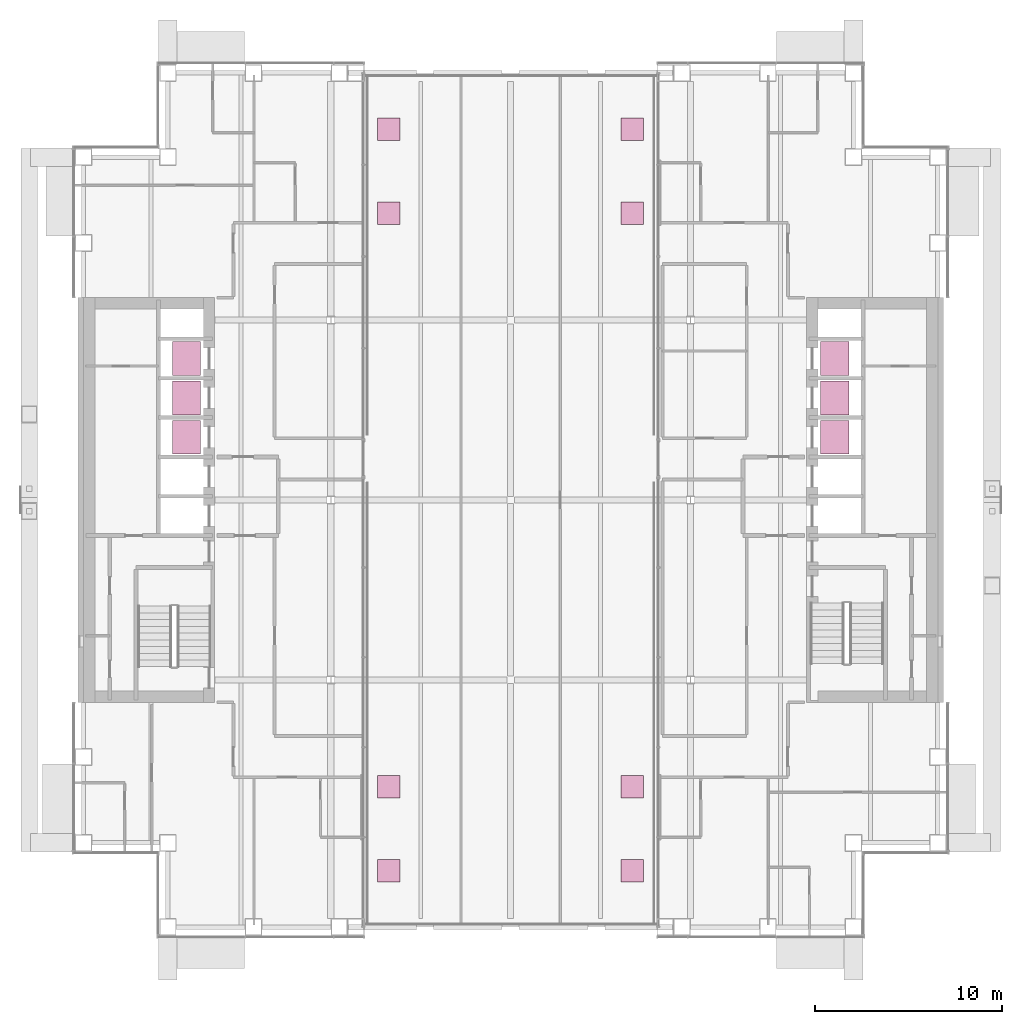
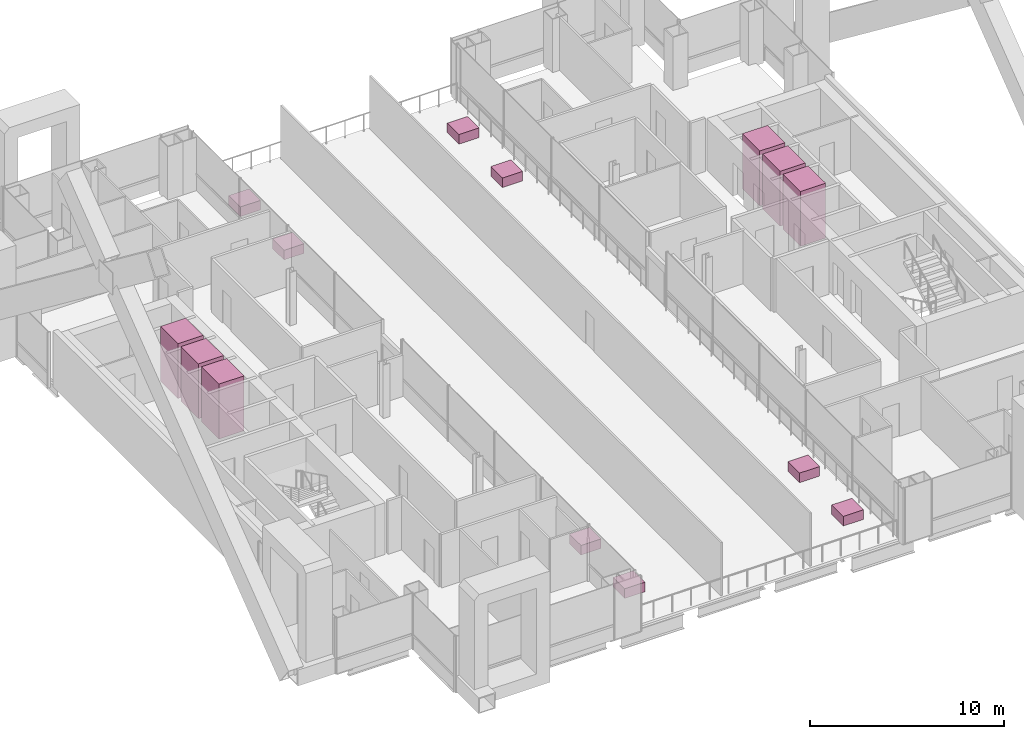
# One storey, part 20 of 20: 8 furniture elements, 6 transport elements.
"""IFC4 building model written with IfcOpenShell, lengths in metres."""

from ifc_helpers import new_model, si_unit, direction, frame, origin, origin_2d, place, context, subcontext, project, spatial, rectangle, extrude, material, type_object, element, save


model = new_model("IFC4")

# Units and contexts
model_context = context("Model", 3, precision=1e-05, world=origin(), true_north=direction((0.0, 1.0)))
body_context = subcontext(model_context, "Body", "Model", "MODEL_VIEW")
ifc_project = project(units=[si_unit("LENGTHUNIT", "METRE"), si_unit("AREAUNIT", "SQUARE_METRE"), si_unit("VOLUMEUNIT", "CUBIC_METRE"), si_unit("PLANEANGLEUNIT", "RADIAN"), si_unit("MASSUNIT", "GRAM", prefix="KILO")], contexts=[model_context])

# Site, building, storey
site_placement = place(None, origin())
site = spatial("IfcSite", under=ifc_project, at=site_placement, CompositionType="ELEMENT")
building_placement = place(site_placement, origin())
building = spatial("IfcBuilding", under=site, at=building_placement, Name="Cobrizo Arcos Hotel Tower", CompositionType="ELEMENT")
storey_placement = place(building_placement, frame((0.0, 0.0, 117.0)))
storey = spatial("IfcBuildingStorey", under=building, at=storey_placement, Name="L29", CompositionType="ELEMENT", Elevation=117.0)

# Transport elements
ifc_material = material(Name="Stainless steel car", Category="steel")
transport_element_type = type_object("IfcTransportElementType", Name="Lift car Low 1.8x1.5", PredefinedType="ELEVATOR", material=ifc_material)
for number, where, z_axis, x_axis, name in (
    (1, (-17.300048828125, 3.35009765625, 0.0), (0.0, 0.0, 1.0), (1.0, 0.0, 0.0), "Low-rise passenger lift W1"),
    (2, (-17.300048828125, 5.449951171875, 0.0), (0.0, 0.0, 1.0), (1.0, 0.0, 0.0), "Low-rise passenger lift W2"),
    (3, (-17.300048828125, 7.550048828125, 0.0), (0.0, 0.0, 1.0), (1.0, 0.0, 0.0), "Low-rise passenger lift W3"),
    (4, (17.300048828125, 3.35009765625, 0.0), (0.0, 0.0, 1.0), (1.0, 0.0, 0.0), "Low-rise passenger lift E1"),
    (5, (17.300048828125, 5.449951171875, 0.0), (0.0, 0.0, 1.0), (1.0, 0.0, 0.0), "Low-rise passenger lift E2"),
    (6, (17.300048828125, 7.550048828125, 0.0), (0.0, 0.0, 1.0), (1.0, 0.0, 0.0), "Low-rise passenger lift E3"),
):
    element("IfcTransportElement", number, at=place(storey_placement, frame(where, z_axis=z_axis, x_axis=x_axis)), inside=storey, type_object=transport_element_type, Name=name, PredefinedType="ELEVATOR", context=body_context, shape_type="SweptSolid", body=[
        extrude(rectangle(XDim=1.5, YDim=1.800048828125, at=origin_2d()), origin(), (0.0, 0.0, 1.0), 3.449951171875),
    ])

# Furniture
for number, where, z_axis, x_axis, name in (
    (7, (-6.5, -19.800048828125, 0.0), (0.0, 0.0, 1.0), (1.0, 0.0, 0.0), "Planter L29-1"),
    (8, (6.5, -19.800048828125, 0.0), (0.0, 0.0, 1.0), (1.0, 0.0, 0.0), "Planter L29-2"),
    (9, (-6.5, -15.300048828125, 0.0), (0.0, 0.0, 1.0), (1.0, 0.0, 0.0), "Planter L29-3"),
    (10, (6.5, -15.300048828125, 0.0), (0.0, 0.0, 1.0), (1.0, 0.0, 0.0), "Planter L29-4"),
    (11, (-6.5, 15.300048828125, 0.0), (0.0, 0.0, 1.0), (1.0, 0.0, 0.0), "Planter L29-5"),
    (12, (6.5, 15.300048828125, 0.0), (0.0, 0.0, 1.0), (1.0, 0.0, 0.0), "Planter L29-6"),
    (13, (-6.5, 19.800048828125, 0.0), (0.0, 0.0, 1.0), (1.0, 0.0, 0.0), "Planter L29-7"),
    (14, (6.5, 19.800048828125, 0.0), (0.0, 0.0, 1.0), (1.0, 0.0, 0.0), "Planter L29-8"),
):
    element("IfcFurniture", number, at=place(storey_placement, frame(where, z_axis=z_axis, x_axis=x_axis)), inside=storey, Name=name, ObjectType="PLANTER", PredefinedType="USERDEFINED", context=body_context, shape_type="SweptSolid", body=[
        extrude(rectangle(XDim=1.199951171875, YDim=1.199951171875, at=origin_2d()), origin(), (0.0, 0.0, 1.0), 0.60009765625),
    ])

save(model, "model.ifc")
